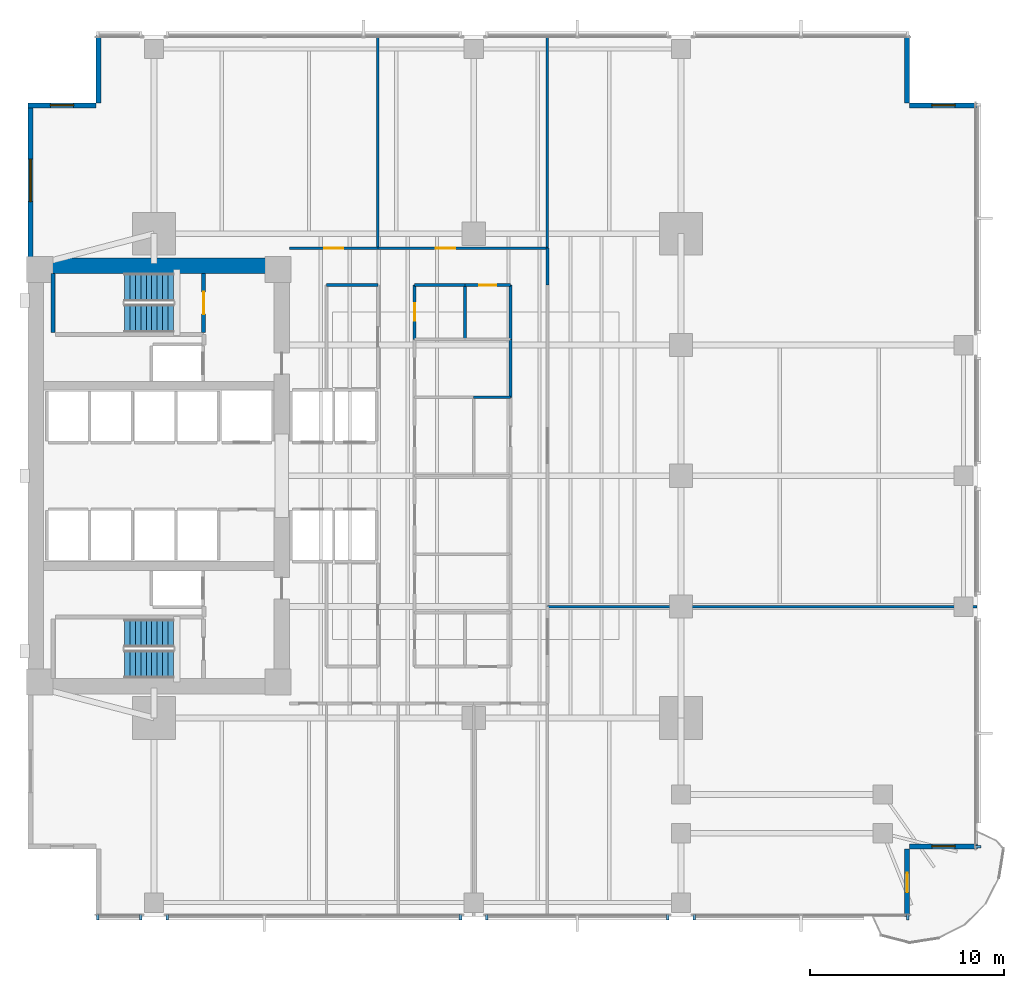
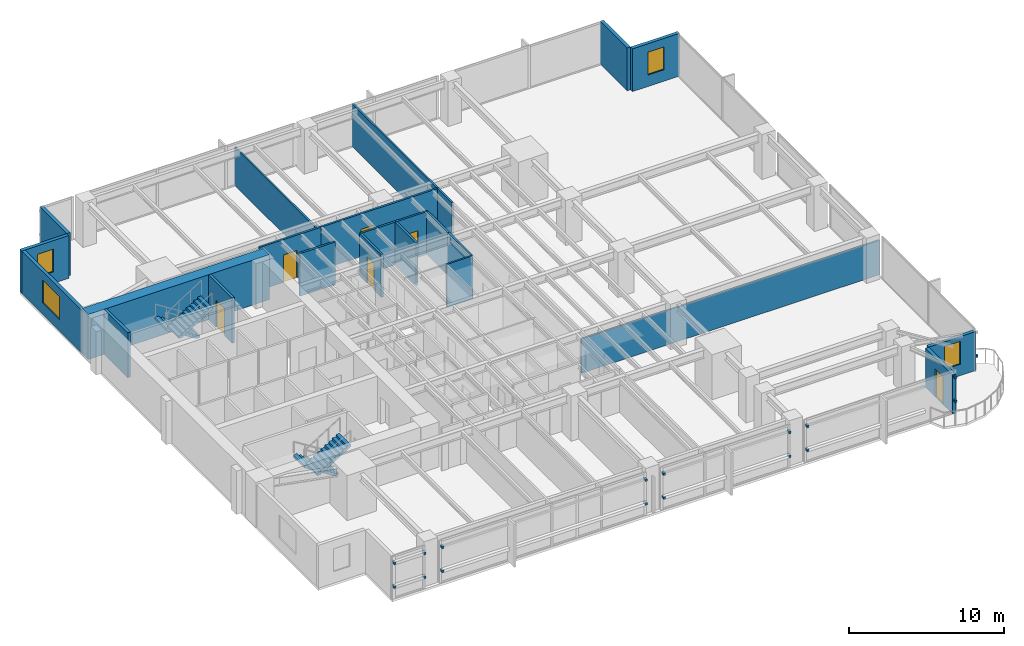
# One storey, part 10 of 15: 24 walls, 17 discrete accessories, 6 doors, 4 stair flights, 4 windows, 10 openings, 2 elements without a shape of their own.
"""IFC4 building model written with IfcOpenShell, lengths in metres."""

import ifcopenshell
import ifcopenshell.guid

model = None  # the IFC model being written
_history = None  # IfcOwnerHistory: only IFC2X3 demands one
_inside = {}  # id of a spatial element -> (the spatial element, [elements in it])
_under = {}  # id of a project, library or spatial element -> (it, [spatial elements below it])
_declared = {}  # id of a project -> (the project, [libraries it declares])
_typed = {}  # id of a type object -> (the type object, [elements of that type])
_made_of = {}  # id of a material, layer set ... -> (it, [elements and type objects made of it])


def new_model(schema):
    """Start an empty IFC model of exactly this schema.

    Asked for "IFC4X3", IfcOpenShell would pick the latest addendum, in which some entities
    have other attributes; the version numbers below select the first issue.
    IFC2X3 requires an IfcOwnerHistory on every rooted entity: one is made here for all.
    """
    global model, _history
    if schema == "IFC4X3":
        model = ifcopenshell.file(schema_version=(4, 3, 0, 0))
    else:
        model = ifcopenshell.file(schema=schema)
    _inside.clear()
    _under.clear()
    _declared.clear()
    _typed.clear()
    _made_of.clear()
    _history = None
    if model.schema == "IFC2X3":
        org = make("IfcOrganization", Name="unknown")
        user = make(
            "IfcPersonAndOrganization",
            ThePerson=make("IfcPerson", FamilyName="unknown"),
            TheOrganization=org,
        )
        app = make(
            "IfcApplication",
            ApplicationDeveloper=org,
            Version="unknown",
            ApplicationFullName="unknown",
            ApplicationIdentifier="unknown",
        )
        _history = make(
            "IfcOwnerHistory",
            OwningUser=user,
            OwningApplication=app,
            ChangeAction="ADDED",
            CreationDate=0,
        )
    return model


def make(cls, **values):
    """One entity of the class cls with the attributes given. An attribute that is None is left unset."""
    return model.create_entity(
        cls, **{name: value for name, value in values.items() if value is not None}
    )


def rooted(cls, **values):
    """An entity with a GlobalId (a new one), such as an element, a storey or a relation."""
    return make(cls, GlobalId=ifcopenshell.guid.new(), OwnerHistory=_history, **values)


def si_unit(unit_type, name, prefix=None):
    """IfcSIUnit, for example si_unit("LENGTHUNIT", "METRE", prefix="MILLI")."""
    return make("IfcSIUnit", UnitType=unit_type, Prefix=prefix, Name=name)


def assignment(units):
    """IfcUnitAssignment: the units of a project."""
    return None if units is None else make("IfcUnitAssignment", Units=units)


def point(xyz):
    """IfcCartesianPoint."""
    return None if xyz is None else make("IfcCartesianPoint", Coordinates=xyz)


def direction(xyz):
    """IfcDirection."""
    return None if xyz is None else make("IfcDirection", DirectionRatios=xyz)


def frame(location, z_axis=None, x_axis=None):
    """IfcAxis2Placement3D, a coordinate frame: its origin and axes. An axis left out is left unset."""
    return make(
        "IfcAxis2Placement3D",
        Location=point(location),
        Axis=direction(z_axis),
        RefDirection=direction(x_axis),
    )


def frame_2d(location, x_axis=None):
    """IfcAxis2Placement2D, a coordinate frame in the plane: its origin and x axis."""
    return make(
        "IfcAxis2Placement2D", Location=point(location), RefDirection=direction(x_axis)
    )


def origin():
    """The frame at (0, 0, 0) with its axes left unset."""
    return frame((0.0, 0.0, 0.0))


def origin_2d():
    """The frame at (0, 0) in the plane with its x axis left unset."""
    return frame_2d((0.0, 0.0))


def place(relative_to, where):
    """IfcLocalPlacement: puts the frame where relative to a parent placement (None: the world)."""
    return make(
        "IfcLocalPlacement", PlacementRelTo=relative_to, RelativePlacement=where
    )


def context(
    kind, dimensions, precision=None, world=None, true_north=None, identifier=None
):
    """IfcGeometricRepresentationContext, for example the 3D "Model" context."""
    return make(
        "IfcGeometricRepresentationContext",
        ContextIdentifier=identifier,
        ContextType=kind,
        CoordinateSpaceDimension=dimensions,
        Precision=precision,
        WorldCoordinateSystem=world,
        TrueNorth=true_north,
    )


def subcontext(parent, identifier, kind, view, scale=None):
    """IfcGeometricRepresentationSubContext, for example "Body" below "Model"."""
    return make(
        "IfcGeometricRepresentationSubContext",
        ContextIdentifier=identifier,
        ContextType=kind,
        ParentContext=parent,
        TargetScale=scale,
        TargetView=view,
    )


def project(units=None, contexts=None):
    """IfcProject with its units and contexts."""
    return rooted(
        "IfcProject",
        Name="project",
        RepresentationContexts=contexts,
        UnitsInContext=assignment(units),
    )


def spatial(cls, under=None, at=None, **own):
    """A site, building, storey or space (cls), placed at a placement, below another one or the project."""
    s = rooted(cls, ObjectPlacement=at, **own)
    if under is not None:
        _under.setdefault(under.id(), (under, []))[1].append(s)
    return s


def polyline(points):
    """IfcPolyline through the points."""
    return make("IfcPolyline", Points=[point(p) for p in points])


def profile(cls, at=None, kind="AREA", **sizes):
    """A parametric profile (cls). Its sizes go by their IFC names, for example OverallWidth=200.0."""
    return make(cls, ProfileType=kind, Position=at, **sizes)


def rectangle(**sizes):
    """IfcRectangleProfileDef."""
    return profile("IfcRectangleProfileDef", **sizes)


def outline(outer, holes=None, kind="AREA"):
    """IfcArbitraryClosedProfileDef: a profile drawn as a closed curve; with holes, ...WithVoids."""
    if holes is None:
        return make("IfcArbitraryClosedProfileDef", ProfileType=kind, OuterCurve=outer)
    return make(
        "IfcArbitraryProfileDefWithVoids",
        ProfileType=kind,
        OuterCurve=outer,
        InnerCurves=holes,
    )


def extrude(swept, where, along, depth):
    """IfcExtrudedAreaSolid: the profile swept, set in the frame where, extruded along a direction by depth."""
    return make(
        "IfcExtrudedAreaSolid",
        SweptArea=swept,
        Position=where,
        ExtrudedDirection=direction(along),
        Depth=depth,
    )


def shape(context_of_items, identifier, shape_type, items):
    """IfcShapeRepresentation: the items that make up one representation, for example the "Body"."""
    return make(
        "IfcShapeRepresentation",
        ContextOfItems=context_of_items,
        RepresentationIdentifier=identifier,
        RepresentationType=shape_type,
        Items=items,
    )


def material(Name=None, Category=None):
    """IfcMaterial."""
    return make("IfcMaterial", Name=Name, Category=Category)


def layer(
    of_material, thickness, ventilated=None, Name=None, Category=None, Priority=None
):
    """IfcMaterialLayer: one layer of a wall or slab, of a material (None: an air gap)."""
    return make(
        "IfcMaterialLayer",
        Material=of_material,
        LayerThickness=thickness,
        IsVentilated=ventilated,
        Name=Name,
        Category=Category,
        Priority=Priority,
    )


def layer_set(layers, Name=None):
    """IfcMaterialLayerSet."""
    return make("IfcMaterialLayerSet", MaterialLayers=layers, LayerSetName=Name)


def made_of(thing, what):
    """Note that an element or type object is made of a material, layer set ...; save() writes the relation."""
    if what is not None:
        _made_of.setdefault(what.id(), (what, []))[1].append(thing)
    return thing


def type_object(cls, material=None, **own):
    """A type object (cls), such as IfcWallType, which elements share."""
    return made_of(rooted(cls, **own), material)


def element(
    cls,
    number,
    at=None,
    inside=None,
    cuts=None,
    type_object=None,
    material=None,
    context=None,
    identifier="Body",
    shape_type=None,
    held_by="IfcProductDefinitionShape",
    body=None,
    shapes=None,
    **own,
):
    """One element of the class cls, such as IfcWall. Its Tag is "e" and its number.

    at: its placement. inside: the storey or other place that contains it. cuts: it is an
    opening in that element (IfcRelVoidsElement). A single representation is given by context,
    identifier, shape_type and body (its items); several are given by shapes. held_by: the class
    of the entity that holds the representations. save() writes the other relations.
    """
    e = rooted(cls, Tag="e%d" % number, ObjectPlacement=at, **own)
    if body is not None:
        shapes = [shape(context, identifier, shape_type, body)]
    if shapes is not None:
        e.Representation = make(held_by, Representations=shapes)
    if inside is not None:
        _inside.setdefault(inside.id(), (inside, []))[1].append(e)
    if cuts is not None:
        rooted(
            "IfcRelVoidsElement", RelatingBuildingElement=cuts, RelatedOpeningElement=e
        )
    if type_object is not None:
        _typed.setdefault(type_object.id(), (type_object, []))[1].append(e)
    return made_of(e, material)


def fill(opening, filler):
    """IfcRelFillsElement: the door or window that sits in an opening."""
    return rooted(
        "IfcRelFillsElement",
        RelatingOpeningElement=opening,
        RelatedBuildingElement=filler,
    )


def aggregate(whole, parts):
    """IfcRelAggregates: a whole, such as a stair, and the parts it consists of."""
    return rooted("IfcRelAggregates", RelatingObject=whole, RelatedObjects=parts)


def save(model, path):
    """Write the relations noted so far, then the file.

    IfcRelAggregates (storeys below a building ...), IfcRelContainedInSpatialStructure (elements
    in a storey), IfcRelDefinesByType, IfcRelAssociatesMaterial and IfcRelDeclares: one each for
    every whole, place, type object, material and project.
    """
    for whole, parts in _under.values():
        aggregate(whole, parts)
    for where, things in _inside.values():
        rooted(
            "IfcRelContainedInSpatialStructure",
            RelatedElements=things,
            RelatingStructure=where,
        )
    for kind, things in _typed.values():
        rooted("IfcRelDefinesByType", RelatedObjects=things, RelatingType=kind)
    for what, things in _made_of.values():
        rooted("IfcRelAssociatesMaterial", RelatedObjects=things, RelatingMaterial=what)
    for by, libraries in _declared.values():
        rooted("IfcRelDeclares", RelatingContext=by, RelatedDefinitions=libraries)
    model.write(path)


model = new_model("IFC4")

# Units and contexts
model_context = context("Model", 3, precision=1e-05, world=origin(), true_north=direction((0.0, 1.0)))
body_context = subcontext(model_context, "Body", "Model", "MODEL_VIEW")
ifc_project = project(units=[si_unit("LENGTHUNIT", "METRE"), si_unit("AREAUNIT", "SQUARE_METRE"), si_unit("VOLUMEUNIT", "CUBIC_METRE"), si_unit("PLANEANGLEUNIT", "RADIAN"), si_unit("MASSUNIT", "GRAM", prefix="KILO")], contexts=[model_context])

# Site, building, storey
site_placement = place(None, origin())
site = spatial("IfcSite", under=ifc_project, at=site_placement, CompositionType="ELEMENT")
building_placement = place(site_placement, origin())
building = spatial("IfcBuilding", under=site, at=building_placement, Name="Kinhvarn Gate Tower", CompositionType="ELEMENT")
storey_placement = place(building_placement, frame((0.0, 0.0, 85.949951171875)))
storey = spatial("IfcBuildingStorey", under=building, at=storey_placement, Name="L22", CompositionType="ELEMENT", Elevation=85.949951171875)

# Wall
ifc_material_1 = material(Name="Concrete C70/85", Category="concrete")
ifc_layer_1 = layer(ifc_material_1, 0.800048828125)
ifc_layer_set_1 = layer_set([ifc_layer_1], Name="Concrete C70/85")
wall_type_1 = type_object("IfcWallType", Name="WL-CORE-800", PredefinedType="SHEAR", material=ifc_layer_set_1)
wall_1_placement = place(storey_placement, frame((4.5, 36.10009765625, 0.0), z_axis=(0.0, 0.0, 1.0), x_axis=(1.0, 0.0, 0.0)))
element("IfcWall", 1, at=wall_1_placement, inside=storey, type_object=wall_type_1, Name="Core North Shear Wall L22 800 mm", PredefinedType="SHEAR", context=body_context, shape_type="SweptSolid", body=[
    extrude(rectangle(XDim=13.5, YDim=0.800048828125, at=frame_2d((6.75, 0.0))), origin(), (0.0, 0.0, 1.0), 3.550048828125),
])

# Wall, opening, window
ifc_material_2 = material(Name="Fired architectural terracotta", Category="masonry")
ifc_layer_2 = layer(ifc_material_2, 0.25)
ifc_layer_set_2 = layer_set([ifc_layer_2], Name="Fired architectural terracotta")
wall_type_2 = type_object("IfcWallType", Name="WL-EXT-250", PredefinedType="SOLIDWALL", material=ifc_layer_set_2)
wall_2_placement = place(storey_placement, frame((4.625, 44.5, 0.0), z_axis=(0.0, 0.0, 1.0), x_axis=(0.0, -1.0, 0.0)))
wall_2 = element("IfcWall", 2, at=wall_2_placement, inside=storey, type_object=wall_type_2, Name="Exterior Solidwall Wall EW-250 (L22 West-North)", PredefinedType="SOLIDWALL", context=body_context, shape_type="SweptSolid", body=[
    extrude(rectangle(XDim=8.0, YDim=0.25, at=frame_2d((4.0, 0.0))), origin(), (0.0, 0.0, 1.0), 3.3701171875),
])
opening_1_placement = place(wall_2_placement, frame((2.89990234375, 0.0, 0.89990234375)))
opening_1 = element("IfcOpeningElement", 3, at=opening_1_placement, cuts=wall_2, Name="Opening WN-01", PredefinedType="OPENING", context=body_context, shape_type="SweptSolid", body=[
    extrude(rectangle(XDim=2.199951171875, YDim=1.800048828125, at=frame_2d((1.10009765625, 0.89990234375))), frame((0.0, 0.135009765625, 0.0), z_axis=(0.0, -1.0, 0.0), x_axis=(1.0, 0.0, 0.0)), (0.0, 0.0, 1.0), 0.27001953125),
])
ifc_material_3 = material(Name="Clear low-e double glazing", Category="glass")
window_type_1 = type_object("IfcWindowType", Name="WIN-RIB-2200", PartitioningType="SINGLE_PANEL", PredefinedType="WINDOW", material=ifc_material_3)
window_1_placement = place(opening_1_placement, origin())
window_1 = element("IfcWindow", 4, at=window_1_placement, inside=storey, type_object=window_type_1, Name="West Flank Double-Glazed Ribbon Window 2200x1800 mm (L22)", OverallHeight=1.800048828125, OverallWidth=2.199951171875, PartitioningType="SINGLE_PANEL", PredefinedType="WINDOW", context=body_context, shape_type="SweptSolid", body=[
    extrude(rectangle(XDim=2.199951171875, YDim=1.800048828125, at=frame_2d((1.10009765625, 0.89990234375))), frame((0.0, 0.030029296875, 0.0), z_axis=(0.0, -1.0, 0.0), x_axis=(1.0, 0.0, 0.0)), (0.0, 0.0, 1.0), 0.06005859375),
])
fill(opening_1, window_1)

# Wall, opening, door
wall_3_placement = place(storey_placement, frame((49.875, 2.5, 0.0), z_axis=(0.0, 0.0, 1.0), x_axis=(0.0, 1.0, 0.0)))
wall_3 = element("IfcWall", 5, at=wall_3_placement, inside=storey, type_object=wall_type_2, Name="Exterior Solidwall Wall EW-250 (L22 SE-Notch-Door)", PredefinedType="SOLIDWALL", context=body_context, shape_type="SweptSolid", body=[
    extrude(rectangle(XDim=3.5, YDim=0.25, at=frame_2d((1.75, 0.0))), origin(), (0.0, 0.0, 1.0), 3.070068359375),
])
opening_2_placement = place(wall_3_placement, frame((1.25, 0.0, 0.0)))
opening_2 = element("IfcOpeningElement", 6, at=opening_2_placement, cuts=wall_3, Name="Opening BD-01", PredefinedType="OPENING", context=body_context, shape_type="SweptSolid", body=[
    extrude(rectangle(XDim=1.0, YDim=2.199951171875, at=frame_2d((0.5, 1.10009765625))), frame((0.0, 0.135009765625, 0.0), z_axis=(0.0, -1.0, 0.0), x_axis=(1.0, 0.0, 0.0)), (0.0, 0.0, 1.0), 0.27001953125),
])
door_type_1 = type_object("IfcDoorType", Name="DR-BAL-1000", OperationType="NOTDEFINED", PredefinedType="DOOR", material=ifc_material_3)
door_1_placement = place(opening_2_placement, frame((1.0, 0.0, 0.0), z_axis=(0.0, 0.0, 1.0), x_axis=(-1.0, 0.0, 0.0)))
door_1 = element("IfcDoor", 7, at=door_1_placement, inside=storey, type_object=door_type_1, Name="S-Carve Balcony Door BD-01 (L22)", OperationType="SINGLE_SWING_LEFT", OverallHeight=2.199951171875, OverallWidth=1.0, PredefinedType="DOOR", context=body_context, shape_type="SweptSolid", body=[
    extrude(rectangle(XDim=1.0, YDim=2.199951171875, at=frame_2d((0.5, 1.10009765625))), frame((0.0, 0.02490234375, 0.0), z_axis=(0.0, -1.0, 0.0), x_axis=(1.0, 0.0, 0.0)), (0.0, 0.0, 1.0), 0.050048828125),
])
fill(opening_2, door_1)

# Wall, opening, window
wall_4_placement = place(storey_placement, frame((50.0, 6.125, 0.0), z_axis=(0.0, 0.0, 1.0), x_axis=(1.0, 0.0, 0.0)))
wall_4 = element("IfcWall", 8, at=wall_4_placement, inside=storey, type_object=wall_type_2, Name="Exterior Solidwall Wall EW-250 (L22 SE-Notch-Win)", PredefinedType="SOLIDWALL", context=body_context, shape_type="SweptSolid", body=[
    extrude(rectangle(XDim=3.5, YDim=0.25, at=frame_2d((1.75, 0.0))), origin(), (0.0, 0.0, 1.0), 3.070068359375),
])
opening_3_placement = place(wall_4_placement, frame((1.14990234375, 0.0, 0.89990234375)))
opening_3 = element("IfcOpeningElement", 9, at=opening_3_placement, cuts=wall_4, Name="Opening WN-02", PredefinedType="OPENING", context=body_context, shape_type="SweptSolid", body=[
    extrude(rectangle(XDim=1.199951171875, YDim=1.800048828125, at=frame_2d((0.60009765625, 0.89990234375))), frame((0.0, 0.135009765625, 0.0), z_axis=(0.0, -1.0, 0.0), x_axis=(1.0, 0.0, 0.0)), (0.0, 0.0, 1.0), 0.27001953125),
])
window_type_2 = type_object("IfcWindowType", Name="WIN-NTC-1200", PartitioningType="SINGLE_PANEL", PredefinedType="WINDOW", material=ifc_material_3)
window_2_placement = place(opening_3_placement, origin())
window_2 = element("IfcWindow", 10, at=window_2_placement, inside=storey, type_object=window_type_2, Name="Recessed Corner Notch Punched Window 1200x1800 mm (L22)", OverallHeight=1.800048828125, OverallWidth=1.199951171875, PartitioningType="SINGLE_PANEL", PredefinedType="WINDOW", context=body_context, shape_type="SweptSolid", body=[
    extrude(rectangle(XDim=1.199951171875, YDim=1.800048828125, at=frame_2d((0.60009765625, 0.89990234375))), frame((0.0, 0.030029296875, 0.0), z_axis=(0.0, -1.0, 0.0), x_axis=(1.0, 0.0, 0.0)), (0.0, 0.0, 1.0), 0.06005859375),
])
fill(opening_3, window_2)

wall_5_placement = place(storey_placement, frame((53.5, 44.375, 0.0), z_axis=(0.0, 0.0, 1.0), x_axis=(-1.0, 0.0, 0.0)))
wall_5 = element("IfcWall", 11, at=wall_5_placement, inside=storey, type_object=wall_type_2, Name="Exterior Solidwall Wall EW-250 (L22 NE-Notch-1)", PredefinedType="SOLIDWALL", context=body_context, shape_type="SweptSolid", body=[
    extrude(rectangle(XDim=3.5, YDim=0.25, at=frame_2d((1.75, 0.0))), origin(), (0.0, 0.0, 1.0), 3.3701171875),
])
opening_4_placement = place(wall_5_placement, frame((1.14990234375, 0.0, 0.89990234375)))
opening_4 = element("IfcOpeningElement", 12, at=opening_4_placement, cuts=wall_5, Name="Opening WN-02", PredefinedType="OPENING", context=body_context, shape_type="SweptSolid", body=[
    extrude(rectangle(XDim=1.199951171875, YDim=1.800048828125, at=frame_2d((0.60009765625, 0.89990234375))), frame((0.0, 0.135009765625, 0.0), z_axis=(0.0, -1.0, 0.0), x_axis=(1.0, 0.0, 0.0)), (0.0, 0.0, 1.0), 0.27001953125),
])
window_3_placement = place(opening_4_placement, origin())
window_3 = element("IfcWindow", 13, at=window_3_placement, inside=storey, type_object=window_type_2, Name="Recessed Corner Notch Punched Window 1200x1800 mm (L22)", OverallHeight=1.800048828125, OverallWidth=1.199951171875, PartitioningType="SINGLE_PANEL", PredefinedType="WINDOW", context=body_context, shape_type="SweptSolid", body=[
    extrude(rectangle(XDim=1.199951171875, YDim=1.800048828125, at=frame_2d((0.60009765625, 0.89990234375))), frame((0.0, 0.030029296875, 0.0), z_axis=(0.0, -1.0, 0.0), x_axis=(1.0, 0.0, 0.0)), (0.0, 0.0, 1.0), 0.06005859375),
])
fill(opening_4, window_3)

# Walls
for number, where, z_axis, x_axis, name in (
    (14, (49.875, 44.5, 0.0), (0.0, 0.0, 1.0), (0.0, 1.0, 0.0), "Exterior Solidwall Wall EW-250 (L22 NE-Notch-2)"),
    (15, (8.125, 48.0, 0.0), (0.0, 0.0, 1.0), (0.0, -1.0, 0.0), "Exterior Solidwall Wall EW-250 (L22 NW-Notch-1)"),
):
    element("IfcWall", number, at=place(storey_placement, frame(where, z_axis=z_axis, x_axis=x_axis)), inside=storey, type_object=wall_type_2, Name=name, PredefinedType="SOLIDWALL", context=body_context, shape_type="SweptSolid", body=[
        extrude(rectangle(XDim=3.5, YDim=0.25, at=frame_2d((1.75, 0.0))), origin(), (0.0, 0.0, 1.0), 3.3701171875),
    ])

# Wall, opening, window
wall_6_placement = place(storey_placement, frame((8.0, 44.375, 0.0), z_axis=(0.0, 0.0, 1.0), x_axis=(-1.0, 0.0, 0.0)))
wall_6 = element("IfcWall", 16, at=wall_6_placement, inside=storey, type_object=wall_type_2, Name="Exterior Solidwall Wall EW-250 (L22 NW-Notch-2)", PredefinedType="SOLIDWALL", context=body_context, shape_type="SweptSolid", body=[
    extrude(rectangle(XDim=3.5, YDim=0.25, at=frame_2d((1.75, 0.0))), origin(), (0.0, 0.0, 1.0), 3.3701171875),
])
opening_5_placement = place(wall_6_placement, frame((1.14990234375, 0.0, 0.89990234375)))
opening_5 = element("IfcOpeningElement", 17, at=opening_5_placement, cuts=wall_6, Name="Opening WN-02", PredefinedType="OPENING", context=body_context, shape_type="SweptSolid", body=[
    extrude(rectangle(XDim=1.199951171875, YDim=1.800048828125, at=frame_2d((0.60009765625, 0.89990234375))), frame((0.0, 0.135009765625, 0.0), z_axis=(0.0, -1.0, 0.0), x_axis=(1.0, 0.0, 0.0)), (0.0, 0.0, 1.0), 0.27001953125),
])
window_4_placement = place(opening_5_placement, origin())
window_4 = element("IfcWindow", 18, at=window_4_placement, inside=storey, type_object=window_type_2, Name="Recessed Corner Notch Punched Window 1200x1800 mm (L22)", OverallHeight=1.800048828125, OverallWidth=1.199951171875, PartitioningType="SINGLE_PANEL", PredefinedType="WINDOW", context=body_context, shape_type="SweptSolid", body=[
    extrude(rectangle(XDim=1.199951171875, YDim=1.800048828125, at=frame_2d((0.60009765625, 0.89990234375))), frame((0.0, 0.030029296875, 0.0), z_axis=(0.0, -1.0, 0.0), x_axis=(1.0, 0.0, 0.0)), (0.0, 0.0, 1.0), 0.06005859375),
])
fill(opening_5, window_4)

# Wall
ifc_material_4 = material(Name="Gypsum acoustic partition board")
ifc_layer_3 = layer(ifc_material_4, 0.14990234375)
ifc_layer_set_3 = layer_set([ifc_layer_3], Name="Gypsum acoustic partition board")
wall_type_3 = type_object("IfcWallType", Name="WL-PLM-150", PredefinedType="PLUMBINGWALL", material=ifc_layer_set_3)
wall_7_placement = place(storey_placement, frame((27.050048828125, 32.300048828125, 0.0), z_axis=(0.0, 0.0, 1.0), x_axis=(0.0, 1.0, 0.0)))
element("IfcWall", 19, at=wall_7_placement, inside=storey, type_object=wall_type_3, Name="Interior Partition PLW-150 (L22)", PredefinedType="PLUMBINGWALL", context=body_context, shape_type="SweptSolid", body=[
    extrude(rectangle(XDim=2.800048828125, YDim=0.14990234375, at=frame_2d((1.39990234375, 0.0))), origin(), (0.0, 0.0, 1.0), 3.3701171875),
])

# Wall, opening, door
ifc_layer_4 = layer(ifc_material_4, 0.14990234375)
ifc_layer_set_4 = layer_set([ifc_layer_4], Name="Gypsum acoustic partition board")
wall_type_4 = type_object("IfcWallType", Name="WL-PLM-150F", PredefinedType="PLUMBINGWALL", material=ifc_layer_set_4)
wall_8_placement = place(storey_placement, frame((24.449951171875, 32.300048828125, 0.0), z_axis=(0.0, 0.0, 1.0), x_axis=(0.0, 1.0, 0.0)))
wall_8 = element("IfcWall", 20, at=wall_8_placement, inside=storey, type_object=wall_type_4, Name="Interior Partition PLW-150F (L22)", PredefinedType="PLUMBINGWALL", context=body_context, shape_type="SweptSolid", body=[
    extrude(rectangle(XDim=2.800048828125, YDim=0.14990234375, at=frame_2d((1.39990234375, 0.0))), origin(), (0.0, 0.0, 1.0), 3.3701171875),
])
opening_6_placement = place(wall_8_placement, frame((0.949951171875, 0.0, 0.0)))
opening_6 = element("IfcOpeningElement", 21, at=opening_6_placement, cuts=wall_8, Name="Opening FD-04", PredefinedType="OPENING", context=body_context, shape_type="SweptSolid", body=[
    extrude(rectangle(XDim=0.89990234375, YDim=2.10009765625, at=frame_2d((0.449951171875, 1.050048828125))), frame((0.0, 0.0849609375, 0.0), z_axis=(0.0, -1.0, 0.0), x_axis=(1.0, 0.0, 0.0)), (0.0, 0.0, 1.0), 0.169921875),
])
ifc_material_5 = material(Name="Anodised aluminium AW-6063", Category="aluminium")
door_type_2 = type_object("IfcDoorType", Name="DR-FD-900", OperationType="NOTDEFINED", PredefinedType="DOOR", material=ifc_material_5)
door_2_placement = place(opening_6_placement, origin())
door_2 = element("IfcDoor", 22, at=door_2_placement, inside=storey, type_object=door_type_2, Name="Rated Riser & Service Closet Fire Door 900x2100 mm (L22)", OperationType="SINGLE_SWING_RIGHT", OverallHeight=2.10009765625, OverallWidth=0.89990234375, PredefinedType="DOOR", context=body_context, shape_type="SweptSolid", body=[
    extrude(rectangle(XDim=0.89990234375, YDim=2.10009765625, at=frame_2d((0.449951171875, 1.050048828125))), frame((0.0, 0.02490234375, 0.0), z_axis=(0.0, -1.0, 0.0), x_axis=(1.0, 0.0, 0.0)), (0.0, 0.0, 1.0), 0.050048828125),
])
fill(opening_6, door_2)

# Wall
wall_9_placement = place(storey_placement, frame((24.449951171875, 35.10009765625, 0.0), z_axis=(0.0, 0.0, 1.0), x_axis=(1.0, 0.0, 0.0)))
element("IfcWall", 23, at=wall_9_placement, inside=storey, type_object=wall_type_4, Name="Interior Partition PLW-150F (L22)", PredefinedType="PLUMBINGWALL", context=body_context, shape_type="SweptSolid", body=[
    extrude(rectangle(XDim=2.60009765625, YDim=0.14990234375, at=frame_2d((1.300048828125, 0.0))), origin(), (0.0, 0.0, 1.0), 3.3701171875),
])

# Wall, opening, door
wall_10_placement = place(storey_placement, frame((27.050048828125, 35.10009765625, 0.0), z_axis=(0.0, 0.0, 1.0), x_axis=(1.0, 0.0, 0.0)))
wall_10 = element("IfcWall", 24, at=wall_10_placement, inside=storey, type_object=wall_type_4, Name="Interior Partition PLW-150F (L22)", PredefinedType="PLUMBINGWALL", context=body_context, shape_type="SweptSolid", body=[
    extrude(rectangle(XDim=2.349853515625, YDim=0.14990234375, at=frame_2d((1.1748046875, 0.0))), origin(), (0.0, 0.0, 1.0), 3.3701171875),
])
opening_7_placement = place(wall_10_placement, frame((0.72509765625, 0.0, 0.0)))
opening_7 = element("IfcOpeningElement", 25, at=opening_7_placement, cuts=wall_10, Name="Opening FD-04", PredefinedType="OPENING", context=body_context, shape_type="SweptSolid", body=[
    extrude(rectangle(XDim=0.89990234375, YDim=2.10009765625, at=frame_2d((0.449951171875, 1.050048828125))), frame((0.0, 0.0849609375, 0.0), z_axis=(0.0, -1.0, 0.0), x_axis=(1.0, 0.0, 0.0)), (0.0, 0.0, 1.0), 0.169921875),
])
door_3_placement = place(opening_7_placement, origin())
door_3 = element("IfcDoor", 26, at=door_3_placement, inside=storey, type_object=door_type_2, Name="Rated Riser & Service Closet Fire Door 900x2100 mm (L22)", OperationType="SINGLE_SWING_RIGHT", OverallHeight=2.10009765625, OverallWidth=0.89990234375, PredefinedType="DOOR", context=body_context, shape_type="SweptSolid", body=[
    extrude(rectangle(XDim=0.89990234375, YDim=2.10009765625, at=frame_2d((0.449951171875, 1.050048828125))), frame((0.0, 0.02490234375, 0.0), z_axis=(0.0, -1.0, 0.0), x_axis=(1.0, 0.0, 0.0)), (0.0, 0.0, 1.0), 0.050048828125),
])
fill(opening_7, door_3)

# Walls
wall_11_placement = place(storey_placement, frame((29.39990234375, 32.300048828125, 0.0), z_axis=(0.0, 0.0, 1.0), x_axis=(0.0, 1.0, 0.0)))
element("IfcWall", 27, at=wall_11_placement, inside=storey, type_object=wall_type_4, Name="Interior Partition PLW-150F (L22)", PredefinedType="PLUMBINGWALL", context=body_context, shape_type="SweptSolid", body=[
    extrude(rectangle(XDim=2.800048828125, YDim=0.14990234375, at=frame_2d((1.39990234375, 0.0))), origin(), (0.0, 0.0, 1.0), 3.3701171875),
])
ifc_layer_5 = layer(ifc_material_4, 0.1201171875)
ifc_layer_set_5 = layer_set([ifc_layer_5], Name="Gypsum acoustic partition board")
wall_type_5 = type_object("IfcWallType", Name="WL-PRT-120", PredefinedType="PARTITIONING", material=ifc_layer_set_5)
wall_12_placement = place(storey_placement, frame((27.5, 29.300048828125, 0.0), z_axis=(0.0, 0.0, 1.0), x_axis=(1.0, 0.0, 0.0)))
element("IfcWall", 28, at=wall_12_placement, inside=storey, type_object=wall_type_5, Name="Interior Partition PW-120 (L22)", PredefinedType="PARTITIONING", context=body_context, shape_type="SweptSolid", body=[
    extrude(rectangle(XDim=1.89990234375, YDim=0.1201171875, at=frame_2d((0.949951171875, 0.0))), origin(), (0.0, 0.0, 1.0), 3.3701171875),
])
wall_13_placement = place(storey_placement, frame((22.550048828125, 37.0, 0.0), z_axis=(0.0, 0.0, 1.0), x_axis=(0.0, 1.0, 0.0)))
element("IfcWall", 29, at=wall_13_placement, inside=storey, type_object=wall_type_5, Name="Interior Partition PW-120 (L22)", PredefinedType="PARTITIONING", context=body_context, shape_type="SweptSolid", body=[
    extrude(rectangle(XDim=10.989990234375, YDim=0.1201171875, at=frame_2d((5.4951171875, 0.0))), origin(), (0.0, 0.0, 1.0), 3.010009765625),
])
wall_14_placement = place(storey_placement, frame((31.300048828125, 37.0, 0.0), z_axis=(0.0, 0.0, 1.0), x_axis=(0.0, 1.0, 0.0)))
element("IfcWall", 30, at=wall_14_placement, inside=storey, type_object=wall_type_5, Name="Interior Partition PW-120 (L22)", PredefinedType="PARTITIONING", context=body_context, shape_type="SweptSolid", body=[
    extrude(rectangle(XDim=10.989990234375, YDim=0.1201171875, at=frame_2d((5.4951171875, 0.0))), origin(), (0.0, 0.0, 1.0), 3.3701171875),
])
wall_15_placement = place(storey_placement, frame((31.300048828125, 18.5, 0.0), z_axis=(0.0, 0.0, 1.0), x_axis=(1.0, 0.0, 0.0)))
element("IfcWall", 31, at=wall_15_placement, inside=storey, type_object=wall_type_5, Name="Interior Partition PW-120 (L22)", PredefinedType="PARTITIONING", context=body_context, shape_type="SweptSolid", body=[
    extrude(rectangle(XDim=22.18994140625, YDim=0.1201171875, at=frame_2d((11.094970703125, 0.0))), origin(), (0.0, 0.0, 1.0), 2.719970703125),
])
ifc_layer_6 = layer(ifc_material_4, 0.14990234375)
ifc_layer_set_6 = layer_set([ifc_layer_6], Name="Gypsum acoustic partition board")
wall_type_6 = type_object("IfcWallType", Name="WL-PRT-150F", PredefinedType="PARTITIONING", material=ifc_layer_set_6)
wall_16_placement = place(storey_placement, frame((19.89990234375, 35.10009765625, 0.0), z_axis=(0.0, 0.0, 1.0), x_axis=(1.0, 0.0, 0.0)))
element("IfcWall", 32, at=wall_16_placement, inside=storey, type_object=wall_type_6, Name="Interior Partition PW-150F (L22)", PredefinedType="PARTITIONING", context=body_context, shape_type="SweptSolid", body=[
    extrude(rectangle(XDim=2.650146484375, YDim=0.14990234375, at=frame_2d((1.3251953125, 0.0))), origin(), (0.0, 0.0, 1.0), 3.3701171875),
])

# Wall, opening, door
wall_17_placement = place(storey_placement, frame((18.0, 37.0, 0.0), z_axis=(0.0, 0.0, 1.0), x_axis=(1.0, 0.0, 0.0)))
wall_17 = element("IfcWall", 33, at=wall_17_placement, inside=storey, type_object=wall_type_6, Name="Interior Partition PW-150F (L22)", PredefinedType="PARTITIONING", context=body_context, shape_type="SweptSolid", body=[
    extrude(rectangle(XDim=4.550048828125, YDim=0.14990234375, at=frame_2d((2.27490234375, 0.0))), origin(), (0.0, 0.0, 1.0), 3.3701171875),
])
opening_8_placement = place(wall_17_placement, frame((1.77490234375, 0.0, 0.0)))
opening_8 = element("IfcOpeningElement", 34, at=opening_8_placement, cuts=wall_17, Name="Opening ID-02", PredefinedType="OPENING", context=body_context, shape_type="SweptSolid", body=[
    extrude(rectangle(XDim=1.0, YDim=2.14990234375, at=frame_2d((0.5, 1.074951171875))), frame((0.0, 0.0849609375, 0.0), z_axis=(0.0, -1.0, 0.0), x_axis=(1.0, 0.0, 0.0)), (0.0, 0.0, 1.0), 0.169921875),
])
door_type_3 = type_object("IfcDoorType", Name="DR-INT-1000", OperationType="NOTDEFINED", PredefinedType="DOOR", material=ifc_material_5)
door_4_placement = place(opening_8_placement, origin())
door_4 = element("IfcDoor", 35, at=door_4_placement, inside=storey, type_object=door_type_3, Name="Standard Office & Meeting Room Door 1000x2150 mm (L22)", OperationType="SINGLE_SWING_LEFT", OverallHeight=2.14990234375, OverallWidth=1.0, PredefinedType="DOOR", context=body_context, shape_type="SweptSolid", body=[
    extrude(rectangle(XDim=1.0, YDim=2.14990234375, at=frame_2d((0.5, 1.074951171875))), frame((0.0, 0.02490234375, 0.0), z_axis=(0.0, -1.0, 0.0), x_axis=(1.0, 0.0, 0.0)), (0.0, 0.0, 1.0), 0.050048828125),
])
fill(opening_8, door_4)

wall_18_placement = place(storey_placement, frame((22.550048828125, 37.0, 0.0), z_axis=(0.0, 0.0, 1.0), x_axis=(1.0, 0.0, 0.0)))
wall_18 = element("IfcWall", 36, at=wall_18_placement, inside=storey, type_object=wall_type_6, Name="Interior Partition PW-150F (L22)", PredefinedType="PARTITIONING", context=body_context, shape_type="SweptSolid", body=[
    extrude(rectangle(XDim=8.75, YDim=0.14990234375, at=frame_2d((4.375, 0.0))), origin(), (0.0, 0.0, 1.0), 3.3701171875),
])
opening_9_placement = place(wall_18_placement, frame((2.988037109375, 0.0, 0.0)))
opening_9 = element("IfcOpeningElement", 37, at=opening_9_placement, cuts=wall_18, Name="Opening ID-02", PredefinedType="OPENING", context=body_context, shape_type="SweptSolid", body=[
    extrude(rectangle(XDim=1.0, YDim=2.14990234375, at=frame_2d((0.5, 1.074951171875))), frame((0.0, 0.0849609375, 0.0), z_axis=(0.0, -1.0, 0.0), x_axis=(1.0, 0.0, 0.0)), (0.0, 0.0, 1.0), 0.169921875),
])
door_5_placement = place(opening_9_placement, origin())
door_5 = element("IfcDoor", 38, at=door_5_placement, inside=storey, type_object=door_type_3, Name="Standard Office & Meeting Room Door 1000x2150 mm (L22)", OperationType="SINGLE_SWING_RIGHT", OverallHeight=2.14990234375, OverallWidth=1.0, PredefinedType="DOOR", context=body_context, shape_type="SweptSolid", body=[
    extrude(rectangle(XDim=1.0, YDim=2.14990234375, at=frame_2d((0.5, 1.074951171875))), frame((0.0, 0.02490234375, 0.0), z_axis=(0.0, -1.0, 0.0), x_axis=(1.0, 0.0, 0.0)), (0.0, 0.0, 1.0), 0.050048828125),
])
fill(opening_9, door_5)

# Walls
wall_19_placement = place(storey_placement, frame((31.300048828125, 35.10009765625, 0.0), z_axis=(0.0, 0.0, 1.0), x_axis=(0.0, 1.0, 0.0)))
element("IfcWall", 39, at=wall_19_placement, inside=storey, type_object=wall_type_6, Name="Interior Partition PW-150F (L22)", PredefinedType="PARTITIONING", context=body_context, shape_type="SweptSolid", body=[
    extrude(rectangle(XDim=1.89990234375, YDim=0.14990234375, at=frame_2d((0.949951171875, 0.0))), origin(), (0.0, 0.0, 1.0), 3.3701171875),
])
wall_20_placement = place(storey_placement, frame((29.39990234375, 29.300048828125, 0.0), z_axis=(0.0, 0.0, 1.0), x_axis=(0.0, 1.0, 0.0)))
element("IfcWall", 40, at=wall_20_placement, inside=storey, type_object=wall_type_6, Name="Interior Partition PW-150F (L22)", PredefinedType="PARTITIONING", context=body_context, shape_type="SweptSolid", body=[
    extrude(rectangle(XDim=3.0, YDim=0.14990234375, at=frame_2d((1.5, 0.0))), origin(), (0.0, 0.0, 1.0), 3.3701171875),
])
ifc_material_6 = material(Name="Concrete C40/50", Category="concrete")
ifc_layer_7 = layer(ifc_material_6, 0.199951171875)
ifc_layer_set_7 = layer_set([ifc_layer_7], Name="Concrete C40/50")
wall_type_7 = type_object("IfcWallType", Name="WL-SHF-200", PredefinedType="SOLIDWALL", material=ifc_layer_set_7)
wall_21_placement = place(storey_placement, frame((5.7900390625, 32.64990234375, 0.0), z_axis=(0.0, 0.0, 1.0), x_axis=(0.0, 1.0, 0.0)))
element("IfcWall", 41, at=wall_21_placement, inside=storey, type_object=wall_type_7, Name="Stair ST2 West Shaft Wall (L22)", PredefinedType="SOLIDWALL", context=body_context, shape_type="SweptSolid", body=[
    extrude(rectangle(XDim=3.050048828125, YDim=0.199951171875, at=frame_2d((1.52490234375, 0.0))), origin(), (0.0, 0.0, 1.0), 3.550048828125),
])

# Wall, opening, door
wall_22_placement = place(storey_placement, frame((13.56005859375, 32.64990234375, 0.0), z_axis=(0.0, 0.0, 1.0), x_axis=(0.0, 1.0, 0.0)))
wall_22 = element("IfcWall", 42, at=wall_22_placement, inside=storey, type_object=wall_type_7, Name="Stair ST2 East Entry Wall (L22)", PredefinedType="SOLIDWALL", context=body_context, shape_type="SweptSolid", body=[
    extrude(rectangle(XDim=3.050048828125, YDim=0.199951171875, at=frame_2d((1.52490234375, 0.0))), origin(), (0.0, 0.0, 1.0), 3.550048828125),
])
opening_10_placement = place(wall_22_placement, frame((0.949951171875, 0.0, 0.0)))
opening_10 = element("IfcOpeningElement", 43, at=opening_10_placement, cuts=wall_22, Name="Opening FD-01", PredefinedType="OPENING", context=body_context, shape_type="SweptSolid", body=[
    extrude(rectangle(XDim=1.14990234375, YDim=2.14990234375, at=frame_2d((0.574951171875, 1.074951171875))), frame((0.0, 0.10986328125, 0.0), z_axis=(0.0, -1.0, 0.0), x_axis=(1.0, 0.0, 0.0)), (0.0, 0.0, 1.0), 0.219970703125),
])
door_type_4 = type_object("IfcDoorType", Name="DR-ST-1150", OperationType="NOTDEFINED", PredefinedType="DOOR", material=ifc_material_5)
door_6_placement = place(opening_10_placement, origin())
door_6 = element("IfcDoor", 44, at=door_6_placement, inside=storey, type_object=door_type_4, Name="Exit Stair ST2 Fire Door (L22)", OperationType="SINGLE_SWING_LEFT", OverallHeight=2.14990234375, OverallWidth=1.14990234375, PredefinedType="DOOR", context=body_context, shape_type="SweptSolid", body=[
    extrude(rectangle(XDim=1.14990234375, YDim=2.14990234375, at=frame_2d((0.574951171875, 1.074951171875))), frame((0.0, 0.02490234375, 0.0), z_axis=(0.0, -1.0, 0.0), x_axis=(1.0, 0.0, 0.0)), (0.0, 0.0, 1.0), 0.050048828125),
])
fill(opening_10, door_6)

# Stair, stair flights
stair_type = type_object("IfcStairType", Name="STR-DLG-177", PredefinedType="HALF_TURN_STAIR", material=ifc_material_6)
stair_1_placement = place(storey_placement, origin())
stair_1 = element("IfcStair", 45, at=stair_1_placement, inside=storey, type_object=stair_type, Name="L22 Core Smokeproof Exit Stair ST1", PredefinedType="HALF_TURN_STAIR")
stair_flight_type = type_object("IfcStairFlightType", Name="STF-DLG-177", PredefinedType="STRAIGHT", material=ifc_material_6)
stair_flight_1_placement = place(storey_placement, frame((12.0, 17.125, 0.0), z_axis=(0.0, 0.0, 1.0), x_axis=(-1.0, 0.0, 0.0)))
stair_flight_1 = element("IfcStairFlight", 46, at=stair_flight_1_placement, type_object=stair_flight_type, Name="ST1 flight 1", NumberOfRisers=10, NumberOfTreads=9, PredefinedType="STRAIGHT", RiserHeight=0.1775, TreadLength=0.28, context=body_context, shape_type="SweptSolid", body=[
    extrude(outline(polyline([(0.0, 0.0), (0.0, 0.177490234375), (0.280029296875, 0.177490234375), (0.280029296875, 0.35498046875), (0.56005859375, 0.35498046875), (0.56005859375, 0.532470703125), (0.840087890625, 0.532470703125), (0.840087890625, 0.7099609375), (1.1201171875, 0.7099609375), (1.1201171875, 0.887451171875), (1.39990234375, 0.887451171875), (1.39990234375, 1.06494140625), (1.679931640625, 1.06494140625), (1.679931640625, 1.242431640625), (1.9599609375, 1.242431640625), (1.9599609375, 1.419921875), (2.239990234375, 1.419921875), (2.239990234375, 1.597412109375), (2.52001953125, 1.597412109375), (2.52001953125, 1.77490234375), (2.52001953125, 1.419921875), (0.280029296875, 0.0), (0.0, 0.0)])), frame((0.0, 0.72509765625, 0.0), z_axis=(0.0, -1.0, 0.0), x_axis=(1.0, 0.0, 0.0)), (0.0, 0.0, 1.0), 1.449951171875),
])
stair_flight_2_placement = place(storey_placement, frame((9.47998046875, 15.52490234375, 1.775146484375), z_axis=(0.0, 0.0, 1.0), x_axis=(1.0, 0.0, 0.0)))
stair_flight_2 = element("IfcStairFlight", 47, at=stair_flight_2_placement, type_object=stair_flight_type, Name="ST1 flight 2", NumberOfRisers=10, NumberOfTreads=9, PredefinedType="STRAIGHT", RiserHeight=0.1775, TreadLength=0.28, context=body_context, shape_type="SweptSolid", body=[
    extrude(outline(polyline([(0.0, 0.0), (0.0, 0.177490234375), (0.280029296875, 0.177490234375), (0.280029296875, 0.35498046875), (0.56005859375, 0.35498046875), (0.56005859375, 0.532470703125), (0.840087890625, 0.532470703125), (0.840087890625, 0.7099609375), (1.1201171875, 0.7099609375), (1.1201171875, 0.887451171875), (1.39990234375, 0.887451171875), (1.39990234375, 1.06494140625), (1.679931640625, 1.06494140625), (1.679931640625, 1.242431640625), (1.9599609375, 1.242431640625), (1.9599609375, 1.419921875), (2.239990234375, 1.419921875), (2.239990234375, 1.597412109375), (2.52001953125, 1.597412109375), (2.52001953125, 1.77490234375), (2.52001953125, 1.419921875), (0.280029296875, 0.0), (0.0, 0.0)])), frame((0.0, 0.72509765625, 0.0), z_axis=(0.0, -1.0, 0.0), x_axis=(1.0, 0.0, 0.0)), (0.0, 0.0, 1.0), 1.449951171875),
])
aggregate(stair_1, [stair_flight_1, stair_flight_2])

stair_2_placement = place(storey_placement, origin())
stair_2 = element("IfcStair", 48, at=stair_2_placement, inside=storey, type_object=stair_type, Name="L22 Core Smokeproof Exit Stair ST2", PredefinedType="HALF_TURN_STAIR")
stair_flight_3_placement = place(storey_placement, frame((12.0, 34.97509765625, 0.0), z_axis=(0.0, 0.0, 1.0), x_axis=(-1.0, 0.0, 0.0)))
stair_flight_3 = element("IfcStairFlight", 49, at=stair_flight_3_placement, type_object=stair_flight_type, Name="ST2 flight 1", NumberOfRisers=10, NumberOfTreads=9, PredefinedType="STRAIGHT", RiserHeight=0.1775, TreadLength=0.28, context=body_context, shape_type="SweptSolid", body=[
    extrude(outline(polyline([(0.0, 0.0), (0.0, 0.177490234375), (0.280029296875, 0.177490234375), (0.280029296875, 0.35498046875), (0.56005859375, 0.35498046875), (0.56005859375, 0.532470703125), (0.840087890625, 0.532470703125), (0.840087890625, 0.7099609375), (1.1201171875, 0.7099609375), (1.1201171875, 0.887451171875), (1.39990234375, 0.887451171875), (1.39990234375, 1.06494140625), (1.679931640625, 1.06494140625), (1.679931640625, 1.242431640625), (1.9599609375, 1.242431640625), (1.9599609375, 1.419921875), (2.239990234375, 1.419921875), (2.239990234375, 1.597412109375), (2.52001953125, 1.597412109375), (2.52001953125, 1.77490234375), (2.52001953125, 1.419921875), (0.280029296875, 0.0), (0.0, 0.0)])), frame((0.0, 0.72509765625, 0.0), z_axis=(0.0, -1.0, 0.0), x_axis=(1.0, 0.0, 0.0)), (0.0, 0.0, 1.0), 1.449951171875),
])
stair_flight_4_placement = place(storey_placement, frame((9.47998046875, 33.375, 1.775146484375), z_axis=(0.0, 0.0, 1.0), x_axis=(1.0, 0.0, 0.0)))
stair_flight_4 = element("IfcStairFlight", 50, at=stair_flight_4_placement, type_object=stair_flight_type, Name="ST2 flight 2", NumberOfRisers=10, NumberOfTreads=9, PredefinedType="STRAIGHT", RiserHeight=0.1775, TreadLength=0.28, context=body_context, shape_type="SweptSolid", body=[
    extrude(outline(polyline([(0.0, 0.0), (0.0, 0.177490234375), (0.280029296875, 0.177490234375), (0.280029296875, 0.35498046875), (0.56005859375, 0.35498046875), (0.56005859375, 0.532470703125), (0.840087890625, 0.532470703125), (0.840087890625, 0.7099609375), (1.1201171875, 0.7099609375), (1.1201171875, 0.887451171875), (1.39990234375, 0.887451171875), (1.39990234375, 1.06494140625), (1.679931640625, 1.06494140625), (1.679931640625, 1.242431640625), (1.9599609375, 1.242431640625), (1.9599609375, 1.419921875), (2.239990234375, 1.419921875), (2.239990234375, 1.597412109375), (2.52001953125, 1.597412109375), (2.52001953125, 1.77490234375), (2.52001953125, 1.419921875), (0.280029296875, 0.0), (0.0, 0.0)])), frame((0.0, 0.72509765625, 0.0), z_axis=(0.0, -1.0, 0.0), x_axis=(1.0, 0.0, 0.0)), (0.0, 0.0, 1.0), 1.449951171875),
])
aggregate(stair_2, [stair_flight_3, stair_flight_4])

# Discrete accessories
discrete_accessory_type = type_object("IfcDiscreteAccessoryType", Name="ACC-BRK-01", PredefinedType="BRACKET", material=ifc_material_5)
for number, where, z_axis, x_axis, name in (
    (51, (8.10009765625, 2.4599609375, 0.9599609375), (0.0, 0.0, 1.0), (1.0, 0.0, 0.0), "Baguette Support Bracket BK-01 (L22)"),
    (52, (8.10009765625, 2.4599609375, 2.830078125), (0.0, 0.0, 1.0), (1.0, 0.0, 0.0), "Baguette Support Bracket BK-01 (L22)"),
    (53, (10.320068359375, 2.4599609375, 0.9599609375), (0.0, 0.0, 1.0), (1.0, 0.0, 0.0), "Baguette Support Bracket BK-01 (L22)"),
    (54, (10.320068359375, 2.4599609375, 2.830078125), (0.0, 0.0, 1.0), (1.0, 0.0, 0.0), "Baguette Support Bracket BK-01 (L22)"),
    (55, (11.679931640625, 2.4599609375, 0.9599609375), (0.0, 0.0, 1.0), (1.0, 0.0, 0.0), "Baguette Support Bracket BK-01 (L22)"),
    (56, (11.679931640625, 2.4599609375, 2.830078125), (0.0, 0.0, 1.0), (1.0, 0.0, 0.0), "Baguette Support Bracket BK-01 (L22)"),
    (57, (26.820068359375, 2.4599609375, 0.9599609375), (0.0, 0.0, 1.0), (1.0, 0.0, 0.0), "Baguette Support Bracket BK-01 (L22)"),
    (58, (26.820068359375, 2.4599609375, 2.830078125), (0.0, 0.0, 1.0), (1.0, 0.0, 0.0), "Baguette Support Bracket BK-01 (L22)"),
    (59, (28.179931640625, 2.4599609375, 0.9599609375), (0.0, 0.0, 1.0), (1.0, 0.0, 0.0), "Baguette Support Bracket BK-01 (L22)"),
    (60, (28.179931640625, 2.4599609375, 2.830078125), (0.0, 0.0, 1.0), (1.0, 0.0, 0.0), "Baguette Support Bracket BK-01 (L22)"),
    (61, (37.52001953125, 2.4599609375, 0.9599609375), (0.0, 0.0, 1.0), (1.0, 0.0, 0.0), "Baguette Support Bracket BK-01 (L22)"),
    (62, (37.52001953125, 2.4599609375, 2.830078125), (0.0, 0.0, 1.0), (1.0, 0.0, 0.0), "Baguette Support Bracket BK-01 (L22)"),
    (63, (38.8798828125, 2.4599609375, 0.9599609375), (0.0, 0.0, 1.0), (1.0, 0.0, 0.0), "Baguette Support Bracket BK-01 (L22)"),
    (64, (38.8798828125, 2.4599609375, 2.830078125), (0.0, 0.0, 1.0), (1.0, 0.0, 0.0), "Baguette Support Bracket BK-01 (L22)"),
    (65, (49.89990234375, 2.4599609375, 0.9599609375), (0.0, 0.0, 1.0), (1.0, 0.0, 0.0), "Baguette Support Bracket BK-01 (L22)"),
    (66, (49.89990234375, 2.4599609375, 2.830078125), (0.0, 0.0, 1.0), (1.0, 0.0, 0.0), "Baguette Support Bracket BK-01 (L22)"),
    (67, (53.5400390625, 6.10009765625, 0.9599609375), (0.0, 0.0, 1.0), (0.0, 1.0, 0.0), "Baguette Support Bracket BK-01 (L22)"),
):
    element("IfcDiscreteAccessory", number, at=place(storey_placement, frame(where, z_axis=z_axis, x_axis=x_axis)), inside=storey, type_object=discrete_accessory_type, Name=name, PredefinedType="BRACKET", context=body_context, shape_type="SweptSolid", body=[
        extrude(rectangle(XDim=0.139892578125, YDim=0.280029296875, at=origin_2d()), origin(), (0.0, 0.0, 1.0), 0.179931640625),
    ])

save(model, "model.ifc")
